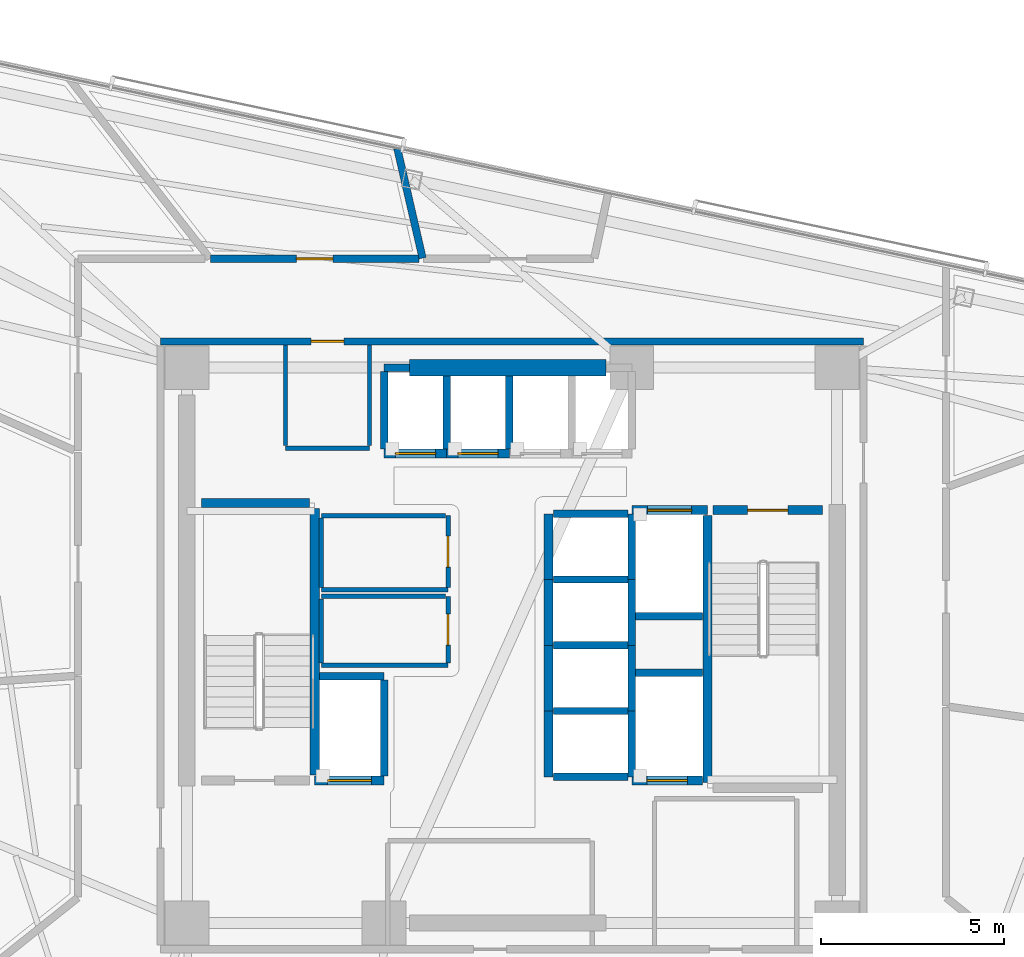
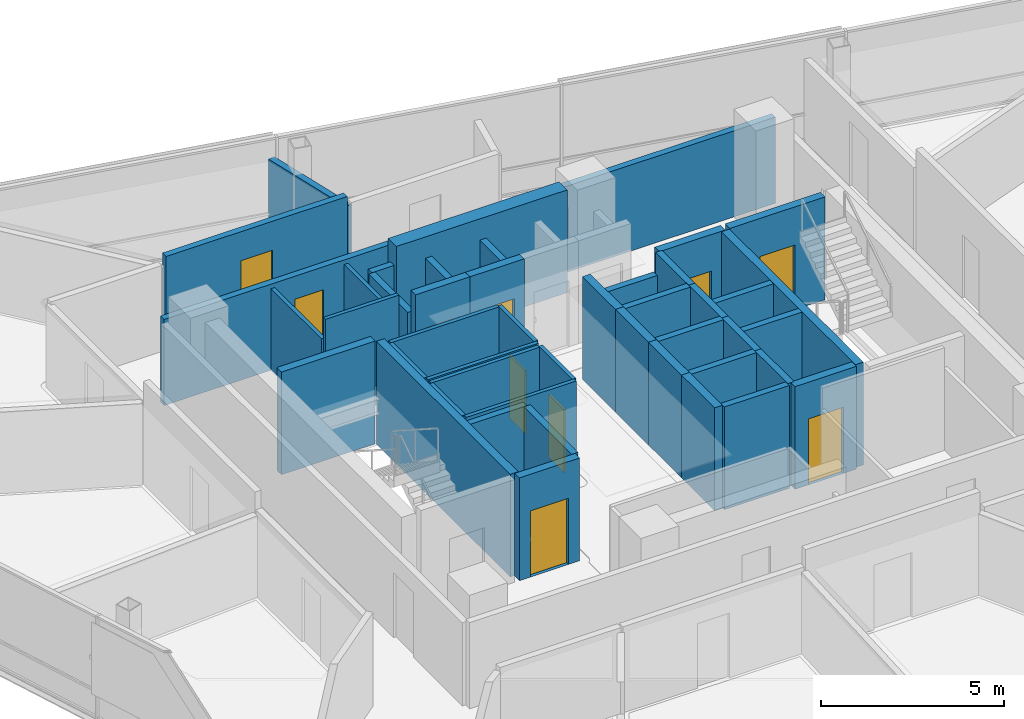
# One storey, part 11 of 17: 45 walls, 10 doors, 10 openings.
"""IFC4 building model written with IfcOpenShell, lengths in metres."""

from ifc_helpers import new_model, si_unit, direction, frame, frame_2d, origin, place, context, subcontext, project, spatial, rectangle, extrude, material, layer, layer_set, type_object, element, fill, save


model = new_model("IFC4")

# Units and contexts
model_context = context("Model", 3, precision=1e-05, world=origin(), true_north=direction((0.0, 1.0)))
body_context = subcontext(model_context, "Body", "Model", "MODEL_VIEW")
ifc_project = project(units=[si_unit("LENGTHUNIT", "METRE"), si_unit("AREAUNIT", "SQUARE_METRE"), si_unit("VOLUMEUNIT", "CUBIC_METRE"), si_unit("PLANEANGLEUNIT", "RADIAN"), si_unit("MASSUNIT", "GRAM", prefix="KILO")], contexts=[model_context])

# Site, building, storey
site_placement = place(None, origin())
site = spatial("IfcSite", under=ifc_project, at=site_placement, CompositionType="ELEMENT")
building_placement = place(site_placement, origin())
building = spatial("IfcBuilding", under=site, at=building_placement, Name="Tharavind Bronze Gate", CompositionType="ELEMENT")
storey_placement = place(building_placement, frame((0.0, 0.0, 214.85009765625)))
storey = spatial("IfcBuildingStorey", under=building, at=storey_placement, Name="L55", CompositionType="ELEMENT", Elevation=214.85009765625)

# Wall, opening, door
ifc_material_1 = material(Name="Aerated Concrete Block", Category="concrete")
ifc_layer_1 = layer(ifc_material_1, 0.199951171875)
ifc_layer_set_1 = layer_set([ifc_layer_1], Name="Aerated Concrete Block")
wall_type_1 = type_object("IfcWallType", Name="FIRE RATED PARTITION 200", PredefinedType="PARTITIONING", material=ifc_layer_set_1)
wall_1_placement = place(storey_placement, frame((9.6201171875, 8.320068359375, 0.0), z_axis=(0.0, 0.0, 1.0), x_axis=(-1.0, 0.0, 0.0)))
wall_1 = element("IfcWall", 1, at=wall_1_placement, inside=storey, type_object=wall_type_1, Name="L55 north core corridor wall", PredefinedType="PARTITIONING", context=body_context, shape_type="SweptSolid", body=[
    extrude(rectangle(XDim=19.240234375, YDim=0.199951171875, at=frame_2d((9.6201171875, 0.0))), origin(), (0.0, 0.0, 1.0), 2.864990234375),
])
opening_1_placement = place(wall_1_placement, frame((14.219970703125, 0.0, 0.0)))
opening_1 = element("IfcOpeningElement", 2, at=opening_1_placement, cuts=wall_1, Name="Opening ID07", PredefinedType="OPENING", context=body_context, shape_type="SweptSolid", body=[
    extrude(rectangle(XDim=0.89990234375, YDim=2.10009765625, at=frame_2d((0.449951171875, 1.050048828125))), frame((0.0, 0.11009765625, 0.0), z_axis=(0.0, -1.0, 0.0), x_axis=(1.0, 0.0, 0.0)), (0.0, 0.0, 1.0), 0.219951171875),
])
ifc_material_2 = material(Name="Galvanised Fire Steel", Category="steel")
door_type_1 = type_object("IfcDoorType", Name="PLANT AND RISER FIRE DOOR 900X2100", OperationType="SINGLE_SWING_LEFT", PredefinedType="DOOR", material=ifc_material_2)
door_1_placement = place(opening_1_placement, origin())
door_1 = element("IfcDoor", 3, at=door_1_placement, inside=storey, type_object=door_type_1, Name="L55 Electrical Switch Cupboard fire door", OperationType="SINGLE_SWING_LEFT", OverallHeight=2.10009765625, OverallWidth=0.89990234375, PredefinedType="DOOR", context=body_context, shape_type="SweptSolid", body=[
    extrude(rectangle(XDim=0.89990234375, YDim=2.10009765625, at=frame_2d((0.449951171875, 1.050048828125))), frame((0.0, 0.02490234375, 0.0), z_axis=(0.0, -1.0, 0.0), x_axis=(1.0, 0.0, 0.0)), (0.0, 0.0, 1.0), 0.050048828125),
])
fill(opening_1, door_1)

# Wall
wall_2_placement = place(storey_placement, frame((-2.447021484375, 10.599365234375, 0.0), z_axis=(0.0, 0.0, 1.0), x_axis=(-0.224992440498, 0.974360509113, 0.0)))
element("IfcWall", 4, at=wall_2_placement, inside=storey, type_object=wall_type_1, Name="L55 Climate Office B partition", PredefinedType="PARTITIONING", context=body_context, shape_type="SweptSolid", body=[
    extrude(rectangle(XDim=3.0849609375, YDim=0.199951171875, at=frame_2d((1.54248046875, 0.0))), origin(), (0.0, 0.0, 1.0), 2.71484375),
])

# Wall, opening, door
wall_3_placement = place(storey_placement, frame((-2.55029296875, 10.580078125, 0.0), z_axis=(0.0, 0.0, 1.0), x_axis=(-1.0, 0.0, 0.0)))
wall_3 = element("IfcWall", 5, at=wall_3_placement, inside=storey, type_object=wall_type_1, Name="L55 Climate Office C partition", PredefinedType="PARTITIONING", context=body_context, shape_type="SweptSolid", body=[
    extrude(rectangle(XDim=5.70361328125, YDim=0.199951171875, at=frame_2d((2.851806640625, 0.0))), origin(), (0.0, 0.0, 1.0), 3.114990234375),
])
opening_2_placement = place(wall_3_placement, frame((2.35205078125, 0.0, 0.0)))
opening_2 = element("IfcOpeningElement", 6, at=opening_2_placement, cuts=wall_3, Name="Opening ID04", PredefinedType="OPENING", context=body_context, shape_type="SweptSolid", body=[
    extrude(rectangle(XDim=1.0, YDim=2.14990234375, at=frame_2d((0.5, 1.074951171875))), frame((0.0, 0.11009765625, 0.0), z_axis=(0.0, -1.0, 0.0), x_axis=(1.0, 0.0, 0.0)), (0.0, 0.0, 1.0), 0.219951171875),
])
ifc_material_3 = material(Name="Bronze Framed Acoustic Timber", Category="wood")
door_type_2 = type_object("IfcDoorType", Name="OFFICE TENANCY DOOR 1000X2150", OperationType="SINGLE_SWING_RIGHT", PredefinedType="DOOR", material=ifc_material_3)
door_2_placement = place(opening_2_placement, origin())
door_2 = element("IfcDoor", 7, at=door_2_placement, inside=storey, type_object=door_type_2, Name="L55 Climate Office C door", OperationType="SINGLE_SWING_RIGHT", OverallHeight=2.14990234375, OverallWidth=1.0, PredefinedType="DOOR", context=body_context, shape_type="SweptSolid", body=[
    extrude(rectangle(XDim=1.0, YDim=2.14990234375, at=frame_2d((0.5, 1.074951171875))), frame((0.0, 0.02490234375, 0.0), z_axis=(0.0, -1.0, 0.0), x_axis=(1.0, 0.0, 0.0)), (0.0, 0.0, 1.0), 0.050048828125),
])
fill(opening_2, door_2)

# Wall
ifc_material_4 = material(Name="Metal Stud Gypsum Partition", Category="gypsum")
ifc_layer_2 = layer(ifc_material_4, 0.1201171875)
ifc_layer_set_2 = layer_set([ifc_layer_2], Name="Metal Stud Gypsum Partition")
wall_type_2 = type_object("IfcWallType", Name="INTERIOR PARTITION WALL 120", PredefinedType="PARTITIONING", material=ifc_layer_set_2)
wall_4_placement = place(storey_placement, frame((-5.219970703125, 1.52001953125, 0.0), z_axis=(0.0, 0.0, 1.0), x_axis=(1.0, 0.0, 0.0)))
element("IfcWall", 8, at=wall_4_placement, inside=storey, type_object=wall_type_2, Name="L55 Cleaner Store Room partition 1", PredefinedType="PARTITIONING", context=body_context, shape_type="SweptSolid", body=[
    extrude(rectangle(XDim=3.469970703125, YDim=0.1201171875, at=frame_2d((1.73486328125, 0.0))), origin(), (0.0, 0.0, 1.0), 3.419921875),
])

# Wall, opening, door
wall_5_placement = place(storey_placement, frame((-1.75, 1.5849609375, 0.0), z_axis=(0.0, 0.0, 1.0), x_axis=(0.0, 1.0, 0.0)))
wall_5 = element("IfcWall", 9, at=wall_5_placement, inside=storey, type_object=wall_type_2, Name="L55 Cleaner Store Room partition 2", PredefinedType="PARTITIONING", context=body_context, shape_type="SweptSolid", body=[
    extrude(rectangle(XDim=1.965087890625, YDim=0.1201171875, at=frame_2d((0.982421875, 0.0))), origin(), (0.0, 0.0, 1.0), 3.419921875),
])
opening_3_placement = place(wall_5_placement, frame((0.556884765625, 0.0, 0.0)))
opening_3 = element("IfcOpeningElement", 10, at=opening_3_placement, cuts=wall_5, Name="Opening ID06", PredefinedType="OPENING", context=body_context, shape_type="SweptSolid", body=[
    extrude(rectangle(XDim=0.85009765625, YDim=2.10009765625, at=frame_2d((0.425048828125, 1.050048828125))), frame((0.0, 0.07005859375, 0.0), z_axis=(0.0, -1.0, 0.0), x_axis=(1.0, 0.0, 0.0)), (0.0, 0.0, 1.0), 0.1401171875),
])
ifc_material_5 = material(Name="Moisture-Resistant Timber", Category="wood")
door_type_3 = type_object("IfcDoorType", Name="BATHROOM PRIVACY DOOR 850X2100", OperationType="SINGLE_SWING_RIGHT", PredefinedType="DOOR", material=ifc_material_5)
door_3_placement = place(opening_3_placement, frame((0.85009765625, 0.0, 0.0), z_axis=(0.0, 0.0, 1.0), x_axis=(-1.0, 0.0, 0.0)))
door_3 = element("IfcDoor", 11, at=door_3_placement, inside=storey, type_object=door_type_3, Name="L55 Cleaner Store Room door", OperationType="SINGLE_SWING_RIGHT", OverallHeight=2.10009765625, OverallWidth=0.85009765625, PredefinedType="DOOR", context=body_context, shape_type="SweptSolid", body=[
    extrude(rectangle(XDim=0.85009765625, YDim=2.10009765625, at=frame_2d((0.425048828125, 1.050048828125))), frame((0.0, 0.02490234375, 0.0), z_axis=(0.0, -1.0, 0.0), x_axis=(1.0, 0.0, 0.0)), (0.0, 0.0, 1.0), 0.050048828125),
])
fill(opening_3, door_3)

# Walls
wall_6_placement = place(storey_placement, frame((-1.81494140625, 3.550048828125, 0.0), z_axis=(0.0, 0.0, 1.0), x_axis=(-1.0, 0.0, 0.0)))
element("IfcWall", 12, at=wall_6_placement, inside=storey, type_object=wall_type_2, Name="L55 Cleaner Store Room partition 3", PredefinedType="PARTITIONING", context=body_context, shape_type="SweptSolid", body=[
    extrude(rectangle(XDim=3.405029296875, YDim=0.1201171875, at=frame_2d((1.70263671875, 0.0))), origin(), (0.0, 0.0, 1.0), 3.419921875),
])
wall_7_placement = place(storey_placement, frame((-5.219970703125, 3.485107421875, 0.0), z_axis=(0.0, 0.0, 1.0), x_axis=(0.0, -1.0, 0.0)))
element("IfcWall", 13, at=wall_7_placement, inside=storey, type_object=wall_type_2, Name="L55 Cleaner Store Room partition 4", PredefinedType="PARTITIONING", context=body_context, shape_type="SweptSolid", body=[
    extrude(rectangle(XDim=1.900146484375, YDim=0.1201171875, at=frame_2d((0.9501953125, 0.0))), origin(), (0.0, 0.0, 1.0), 3.419921875),
])
wall_8_placement = place(storey_placement, frame((-5.219970703125, -0.550048828125, 0.0), z_axis=(0.0, 0.0, 1.0), x_axis=(1.0, 0.0, 0.0)))
element("IfcWall", 14, at=wall_8_placement, inside=storey, type_object=wall_type_2, Name="L55 Electrical Switch Room partition 1", PredefinedType="PARTITIONING", context=body_context, shape_type="SweptSolid", body=[
    extrude(rectangle(XDim=3.469970703125, YDim=0.1201171875, at=frame_2d((1.73486328125, 0.0))), origin(), (0.0, 0.0, 1.0), 3.419921875),
])

# Wall, opening, door
wall_9_placement = place(storey_placement, frame((-1.75, -0.485107421875, 0.0), z_axis=(0.0, 0.0, 1.0), x_axis=(0.0, 1.0, 0.0)))
wall_9 = element("IfcWall", 15, at=wall_9_placement, inside=storey, type_object=wall_type_2, Name="L55 Electrical Switch Room partition 2", PredefinedType="PARTITIONING", context=body_context, shape_type="SweptSolid", body=[
    extrude(rectangle(XDim=1.8251953125, YDim=0.1201171875, at=frame_2d((0.91259765625, 0.0))), origin(), (0.0, 0.0, 1.0), 3.419921875),
])
opening_4_placement = place(wall_9_placement, frame((0.488037109375, 0.0, 0.0)))
opening_4 = element("IfcOpeningElement", 16, at=opening_4_placement, cuts=wall_9, Name="Opening ID06", PredefinedType="OPENING", context=body_context, shape_type="SweptSolid", body=[
    extrude(rectangle(XDim=0.85009765625, YDim=2.10009765625, at=frame_2d((0.425048828125, 1.050048828125))), frame((0.0, 0.07005859375, 0.0), z_axis=(0.0, -1.0, 0.0), x_axis=(1.0, 0.0, 0.0)), (0.0, 0.0, 1.0), 0.1401171875),
])
door_4_placement = place(opening_4_placement, frame((0.85009765625, 0.0, 0.0), z_axis=(0.0, 0.0, 1.0), x_axis=(-1.0, 0.0, 0.0)))
door_4 = element("IfcDoor", 17, at=door_4_placement, inside=storey, type_object=door_type_3, Name="L55 Electrical Switch Room door", OperationType="SINGLE_SWING_RIGHT", OverallHeight=2.10009765625, OverallWidth=0.85009765625, PredefinedType="DOOR", context=body_context, shape_type="SweptSolid", body=[
    extrude(rectangle(XDim=0.85009765625, YDim=2.10009765625, at=frame_2d((0.425048828125, 1.050048828125))), frame((0.0, 0.02490234375, 0.0), z_axis=(0.0, -1.0, 0.0), x_axis=(1.0, 0.0, 0.0)), (0.0, 0.0, 1.0), 0.050048828125),
])
fill(opening_4, door_4)

# Walls
wall_10_placement = place(storey_placement, frame((-1.81494140625, 1.340087890625, 0.0), z_axis=(0.0, 0.0, 1.0), x_axis=(-1.0, 0.0, 0.0)))
element("IfcWall", 18, at=wall_10_placement, inside=storey, type_object=wall_type_2, Name="L55 Electrical Switch Room partition 3", PredefinedType="PARTITIONING", context=body_context, shape_type="SweptSolid", body=[
    extrude(rectangle(XDim=3.405029296875, YDim=0.1201171875, at=frame_2d((1.70263671875, 0.0))), origin(), (0.0, 0.0, 1.0), 3.419921875),
])
wall_11_placement = place(storey_placement, frame((-5.219970703125, 1.27490234375, 0.0), z_axis=(0.0, 0.0, 1.0), x_axis=(0.0, -1.0, 0.0)))
element("IfcWall", 19, at=wall_11_placement, inside=storey, type_object=wall_type_2, Name="L55 Electrical Switch Room partition 4", PredefinedType="PARTITIONING", context=body_context, shape_type="SweptSolid", body=[
    extrude(rectangle(XDim=1.760009765625, YDim=0.1201171875, at=frame_2d((0.8798828125, 0.0))), origin(), (0.0, 0.0, 1.0), 3.419921875),
])
wall_12_placement = place(storey_placement, frame((-6.199951171875, 5.39990234375, 0.0), z_axis=(0.0, 0.0, 1.0), x_axis=(1.0, 0.0, 0.0)))
element("IfcWall", 20, at=wall_12_placement, inside=storey, type_object=wall_type_2, Name="L55 Electrical Switch Cupboard partition 1", PredefinedType="PARTITIONING", context=body_context, shape_type="SweptSolid", body=[
    extrude(rectangle(XDim=2.300048828125, YDim=0.1201171875, at=frame_2d((1.14990234375, 0.0))), origin(), (0.0, 0.0, 1.0), 3.419921875),
])
for number, where, z_axis, x_axis, name in (
    (21, (-3.89990234375, 5.465087890625, 0.0), (0.0, 0.0, 1.0), (0.0, 1.0, 0.0), "L55 Electrical Switch Cupboard partition 2"),
    (22, (-6.199951171875, 8.215087890625, 0.0), (0.0, 0.0, 1.0), (0.0, -1.0, 0.0), "L55 Electrical Switch Cupboard partition 4"),
):
    element("IfcWall", number, at=place(storey_placement, frame(where, z_axis=z_axis, x_axis=x_axis)), inside=storey, type_object=wall_type_2, Name=name, PredefinedType="PARTITIONING", context=body_context, shape_type="SweptSolid", body=[
        extrude(rectangle(XDim=2.75, YDim=0.1201171875, at=frame_2d((1.375, 0.0))), origin(), (0.0, 0.0, 1.0), 2.71484375),
    ])
ifc_material_6 = material(Name="Concrete C50/60", Category="concrete")
ifc_layer_3 = layer(ifc_material_6, 0.25)
ifc_layer_set_3 = layer_set([ifc_layer_3], Name="Concrete C50/60")
wall_type_3 = type_object("IfcWallType", Name="RC CORE SHEAR WALL 250", PredefinedType="SHEAR", material=ifc_layer_set_3)
wall_13_placement = place(storey_placement, frame((-5.39990234375, -3.550048828125, 0.0), z_axis=(0.0, 0.0, 1.0), x_axis=(0.0, 1.0, 0.0)))
element("IfcWall", 23, at=wall_13_placement, inside=storey, type_object=wall_type_3, Name="L55 ST1 shaft east wall", PredefinedType="SHEAR", context=body_context, shape_type="SweptSolid", body=[
    extrude(rectangle(XDim=7.300048828125, YDim=0.25, at=frame_2d((3.64990234375, 0.0))), origin(), (0.0, 0.0, 1.0), 3.419921875),
])
wall_14_placement = place(storey_placement, frame((-8.5, 3.89990234375, 0.0), z_axis=(0.0, 0.0, 1.0), x_axis=(1.0, 0.0, 0.0)))
element("IfcWall", 24, at=wall_14_placement, inside=storey, type_object=wall_type_3, Name="L55 ST1 shaft north wall", PredefinedType="SHEAR", context=body_context, shape_type="SweptSolid", body=[
    extrude(rectangle(XDim=2.949951171875, YDim=0.25, at=frame_2d((1.47509765625, 0.0))), origin(), (0.0, 0.0, 1.0), 3.419921875),
])
wall_15_placement = place(storey_placement, frame((5.35009765625, -3.75, 0.0), z_axis=(0.0, 0.0, 1.0), x_axis=(0.0, 1.0, 0.0)))
element("IfcWall", 25, at=wall_15_placement, inside=storey, type_object=wall_type_3, Name="L55 ST2 shaft west wall", PredefinedType="SHEAR", context=body_context, shape_type="SweptSolid", body=[
    extrude(rectangle(XDim=7.300048828125, YDim=0.25, at=frame_2d((3.64990234375, 0.0))), origin(), (0.0, 0.0, 1.0), 3.419921875),
])

# Wall, opening, door
wall_16_placement = place(storey_placement, frame((5.5, 3.699951171875, 0.0), z_axis=(0.0, 0.0, 1.0), x_axis=(1.0, 0.0, 0.0)))
wall_16 = element("IfcWall", 26, at=wall_16_placement, inside=storey, type_object=wall_type_3, Name="L55 ST2 shaft north wall", PredefinedType="SHEAR", context=body_context, shape_type="SweptSolid", body=[
    extrude(rectangle(XDim=3.0, YDim=0.25, at=frame_2d((1.5, 0.0))), origin(), (0.0, 0.0, 1.0), 3.419921875),
])
opening_5_placement = place(wall_16_placement, frame((0.949951171875, 0.0, 0.0)))
opening_5 = element("IfcOpeningElement", 27, at=opening_5_placement, cuts=wall_16, Name="Opening ID01", PredefinedType="OPENING", context=body_context, shape_type="SweptSolid", body=[
    extrude(rectangle(XDim=1.10009765625, YDim=2.14990234375, at=frame_2d((0.550048828125, 1.074951171875))), frame((0.0, 0.135, 0.0), z_axis=(0.0, -1.0, 0.0), x_axis=(1.0, 0.0, 0.0)), (0.0, 0.0, 1.0), 0.27),
])
ifc_material_7 = material(Name="Fire-Rated Steel", Category="steel")
door_type_4 = type_object("IfcDoorType", Name="STAIR CORE FIRE DOOR 1100X2150", OperationType="SINGLE_SWING_LEFT", PredefinedType="DOOR", material=ifc_material_7)
door_5_placement = place(opening_5_placement, frame((1.10009765625, 0.0, 0.0), z_axis=(0.0, 0.0, 1.0), x_axis=(-1.0, 0.0, 0.0)))
door_5 = element("IfcDoor", 28, at=door_5_placement, inside=storey, type_object=door_type_4, Name="L55 exit stair ST2 fire door", OperationType="SINGLE_SWING_LEFT", OverallHeight=2.14990234375, OverallWidth=1.10009765625, PredefinedType="DOOR", context=body_context, shape_type="SweptSolid", body=[
    extrude(rectangle(XDim=1.10009765625, YDim=2.14990234375, at=frame_2d((0.550048828125, 1.074951171875))), frame((0.0, 0.02490234375, 0.0), z_axis=(0.0, -1.0, 0.0), x_axis=(1.0, 0.0, 0.0)), (0.0, 0.0, 1.0), 0.050048828125),
])
fill(opening_5, door_5)

wall_17_placement = place(storey_placement, frame((-3.5, 5.25, 0.0), z_axis=(0.0, 0.0, 1.0), x_axis=(1.0, 0.0, 0.0)))
wall_17 = element("IfcWall", 29, at=wall_17_placement, inside=storey, type_object=wall_type_3, Name="L55 lift PL5 shaft front wall", PredefinedType="SHEAR", context=body_context, shape_type="SweptSolid", body=[
    extrude(rectangle(XDim=1.71240234375, YDim=0.25, at=frame_2d((0.856201171875, 0.0))), origin(), (0.0, 0.0, 1.0), 3.419921875),
])
opening_6_placement = place(wall_17_placement, frame((0.305908203125, 0.0, 0.0)))
opening_6 = element("IfcOpeningElement", 30, at=opening_6_placement, cuts=wall_17, Name="Opening LD01", PredefinedType="OPENING", context=body_context, shape_type="SweptSolid", body=[
    extrude(rectangle(XDim=1.10009765625, YDim=2.199951171875, at=frame_2d((0.550048828125, 1.10009765625))), frame((0.0, 0.135, 0.0), z_axis=(0.0, -1.0, 0.0), x_axis=(1.0, 0.0, 0.0)), (0.0, 0.0, 1.0), 0.27),
])
ifc_material_8 = material(Name="Brushed Bronze Stainless Steel", Category="steel")
door_type_5 = type_object("IfcDoorType", Name="LIFT LANDING SLIDING DOOR 1100X2200", OperationType="SLIDING_TO_LEFT", PredefinedType="DOOR", material=ifc_material_8)
door_6_placement = place(opening_6_placement, origin())
door_6 = element("IfcDoor", 31, at=door_6_placement, inside=storey, type_object=door_type_5, Name="L55 lift PL5 sliding landing door", OperationType="SLIDING_TO_LEFT", OverallHeight=2.199951171875, OverallWidth=1.10009765625, PredefinedType="DOOR", context=body_context, shape_type="SweptSolid", body=[
    extrude(rectangle(XDim=1.10009765625, YDim=2.199951171875, at=frame_2d((0.550048828125, 1.10009765625))), frame((0.0, 0.02490234375, 0.0), z_axis=(0.0, -1.0, 0.0), x_axis=(1.0, 0.0, 0.0)), (0.0, 0.0, 1.0), 0.050048828125),
])
fill(opening_6, door_6)

wall_18_placement = place(storey_placement, frame((-1.78759765625, 5.25, 0.0), z_axis=(0.0, 0.0, 1.0), x_axis=(1.0, 0.0, 0.0)))
wall_18 = element("IfcWall", 32, at=wall_18_placement, inside=storey, type_object=wall_type_3, Name="L55 lift PL6 shaft front wall", PredefinedType="SHEAR", context=body_context, shape_type="SweptSolid", body=[
    extrude(rectangle(XDim=1.712646484375, YDim=0.25, at=frame_2d((0.8564453125, 0.0))), origin(), (0.0, 0.0, 1.0), 3.419921875),
])
opening_7_placement = place(wall_18_placement, frame((0.305908203125, 0.0, 0.0)))
opening_7 = element("IfcOpeningElement", 33, at=opening_7_placement, cuts=wall_18, Name="Opening LD01", PredefinedType="OPENING", context=body_context, shape_type="SweptSolid", body=[
    extrude(rectangle(XDim=1.10009765625, YDim=2.199951171875, at=frame_2d((0.550048828125, 1.10009765625))), frame((0.0, 0.135, 0.0), z_axis=(0.0, -1.0, 0.0), x_axis=(1.0, 0.0, 0.0)), (0.0, 0.0, 1.0), 0.27),
])
door_7_placement = place(opening_7_placement, origin())
door_7 = element("IfcDoor", 34, at=door_7_placement, inside=storey, type_object=door_type_5, Name="L55 lift PL6 sliding landing door", OperationType="SLIDING_TO_LEFT", OverallHeight=2.199951171875, OverallWidth=1.10009765625, PredefinedType="DOOR", context=body_context, shape_type="SweptSolid", body=[
    extrude(rectangle(XDim=1.10009765625, YDim=2.199951171875, at=frame_2d((0.550048828125, 1.10009765625))), frame((0.0, 0.02490234375, 0.0), z_axis=(0.0, -1.0, 0.0), x_axis=(1.0, 0.0, 0.0)), (0.0, 0.0, 1.0), 0.050048828125),
])
fill(opening_7, door_7)

# Walls
for number, where, z_axis, x_axis, name in (
    (35, (1.0, -3.60009765625, 0.0), (0.0, 0.0, 1.0), (0.0, 1.0, 0.0), "L55 lift PL9 shaft front wall"),
    (36, (1.0, -1.800048828125, 0.0), (0.0, 0.0, 1.0), (0.0, 1.0, 0.0), "L55 lift PL10 shaft front wall"),
    (37, (1.0, 0.0, 0.0), (0.0, 0.0, 1.0), (0.0, 1.0, 0.0), "L55 lift PL11 shaft front wall"),
    (38, (1.0, 1.800048828125, 0.0), (0.0, 0.0, 1.0), (0.0, 1.0, 0.0), "L55 lift PL12 shaft front wall"),
):
    element("IfcWall", number, at=place(storey_placement, frame(where, z_axis=z_axis, x_axis=x_axis)), inside=storey, type_object=wall_type_3, Name=name, PredefinedType="SHEAR", context=body_context, shape_type="SweptSolid", body=[
        extrude(rectangle(XDim=1.800048828125, YDim=0.25, at=frame_2d((0.89990234375, 0.0))), origin(), (0.0, 0.0, 1.0), 3.419921875),
    ])

# Wall, opening, door
wall_19_placement = place(storey_placement, frame((-5.39990234375, -3.699951171875, 0.0), z_axis=(0.0, 0.0, 1.0), x_axis=(1.0, 0.0, 0.0)))
wall_19 = element("IfcWall", 39, at=wall_19_placement, inside=storey, type_object=wall_type_3, Name="L55 lift FFL1 shaft front wall", PredefinedType="SHEAR", context=body_context, shape_type="SweptSolid", body=[
    extrude(rectangle(XDim=1.89990234375, YDim=0.25, at=frame_2d((0.949951171875, 0.0))), origin(), (0.0, 0.0, 1.0), 3.419921875),
])
opening_8_placement = place(wall_19_placement, frame((0.35009765625, 0.0, 0.0)))
opening_8 = element("IfcOpeningElement", 40, at=opening_8_placement, cuts=wall_19, Name="Opening LD02", PredefinedType="OPENING", context=body_context, shape_type="SweptSolid", body=[
    extrude(rectangle(XDim=1.199951171875, YDim=2.199951171875, at=frame_2d((0.60009765625, 1.10009765625))), frame((0.0, 0.135, 0.0), z_axis=(0.0, -1.0, 0.0), x_axis=(1.0, 0.0, 0.0)), (0.0, 0.0, 1.0), 0.27),
])
ifc_material_9 = material(Name="Brushed Stainless Steel", Category="steel")
door_type_6 = type_object("IfcDoorType", Name="FIREFIGHTING LIFT LANDING DOOR 1200X2200", OperationType="SLIDING_TO_RIGHT", PredefinedType="DOOR", material=ifc_material_9)
door_8_placement = place(opening_8_placement, origin())
door_8 = element("IfcDoor", 41, at=door_8_placement, inside=storey, type_object=door_type_6, Name="L55 lift FFL1 sliding landing door", OperationType="SLIDING_TO_RIGHT", OverallHeight=2.199951171875, OverallWidth=1.199951171875, PredefinedType="DOOR", context=body_context, shape_type="SweptSolid", body=[
    extrude(rectangle(XDim=1.199951171875, YDim=2.199951171875, at=frame_2d((0.60009765625, 1.10009765625))), frame((0.0, 0.02490234375, 0.0), z_axis=(0.0, -1.0, 0.0), x_axis=(1.0, 0.0, 0.0)), (0.0, 0.0, 1.0), 0.050048828125),
])
fill(opening_8, door_8)

wall_20_placement = place(storey_placement, frame((3.280029296875, 3.699951171875, 0.0), z_axis=(0.0, 0.0, 1.0), x_axis=(1.0, 0.0, 0.0)))
wall_20 = element("IfcWall", 42, at=wall_20_placement, inside=storey, type_object=wall_type_3, Name="L55 lift FFL2 shaft front wall", PredefinedType="SHEAR", context=body_context, shape_type="SweptSolid", body=[
    extrude(rectangle(XDim=2.070068359375, YDim=0.25, at=frame_2d((1.03515625, 0.0))), origin(), (0.0, 0.0, 1.0), 3.419921875),
])
opening_9_placement = place(wall_20_placement, frame((0.43505859375, 0.0, 0.0)))
opening_9 = element("IfcOpeningElement", 43, at=opening_9_placement, cuts=wall_20, Name="Opening LD02", PredefinedType="OPENING", context=body_context, shape_type="SweptSolid", body=[
    extrude(rectangle(XDim=1.199951171875, YDim=2.199951171875, at=frame_2d((0.60009765625, 1.10009765625))), frame((0.0, 0.135, 0.0), z_axis=(0.0, -1.0, 0.0), x_axis=(1.0, 0.0, 0.0)), (0.0, 0.0, 1.0), 0.27),
])
door_9_placement = place(opening_9_placement, origin())
door_9 = element("IfcDoor", 44, at=door_9_placement, inside=storey, type_object=door_type_6, Name="L55 lift FFL2 sliding landing door", OperationType="SLIDING_TO_RIGHT", OverallHeight=2.199951171875, OverallWidth=1.199951171875, PredefinedType="DOOR", context=body_context, shape_type="SweptSolid", body=[
    extrude(rectangle(XDim=1.199951171875, YDim=2.199951171875, at=frame_2d((0.60009765625, 1.10009765625))), frame((0.0, 0.02490234375, 0.0), z_axis=(0.0, -1.0, 0.0), x_axis=(1.0, 0.0, 0.0)), (0.0, 0.0, 1.0), 0.050048828125),
])
fill(opening_9, door_9)

wall_21_placement = place(storey_placement, frame((3.280029296875, -3.699951171875, 0.0), z_axis=(0.0, 0.0, 1.0), x_axis=(1.0, 0.0, 0.0)))
wall_21 = element("IfcWall", 45, at=wall_21_placement, inside=storey, type_object=wall_type_3, Name="L55 lift SVL1 shaft front wall", PredefinedType="SHEAR", context=body_context, shape_type="SweptSolid", body=[
    extrude(rectangle(XDim=1.93994140625, YDim=0.25, at=frame_2d((0.969970703125, 0.0))), origin(), (0.0, 0.0, 1.0), 3.419921875),
])
opening_10_placement = place(wall_21_placement, frame((0.419921875, 0.0, 0.0)))
opening_10 = element("IfcOpeningElement", 46, at=opening_10_placement, cuts=wall_21, Name="Opening LD01", PredefinedType="OPENING", context=body_context, shape_type="SweptSolid", body=[
    extrude(rectangle(XDim=1.10009765625, YDim=2.199951171875, at=frame_2d((0.550048828125, 1.10009765625))), frame((0.0, 0.135, 0.0), z_axis=(0.0, -1.0, 0.0), x_axis=(1.0, 0.0, 0.0)), (0.0, 0.0, 1.0), 0.27),
])
door_10_placement = place(opening_10_placement, origin())
door_10 = element("IfcDoor", 47, at=door_10_placement, inside=storey, type_object=door_type_5, Name="L55 lift SVL1 sliding landing door", OperationType="SLIDING_TO_LEFT", OverallHeight=2.199951171875, OverallWidth=1.10009765625, PredefinedType="DOOR", context=body_context, shape_type="SweptSolid", body=[
    extrude(rectangle(XDim=1.10009765625, YDim=2.199951171875, at=frame_2d((0.550048828125, 1.10009765625))), frame((0.0, 0.02490234375, 0.0), z_axis=(0.0, -1.0, 0.0), x_axis=(1.0, 0.0, 0.0)), (0.0, 0.0, 1.0), 0.050048828125),
])
fill(opening_10, door_10)

# Walls
ifc_material_10 = material(Name="Concrete C60/75", Category="concrete")
ifc_layer_4 = layer(ifc_material_10, 0.449951171875)
ifc_layer_set_4 = layer_set([ifc_layer_4], Name="Concrete C60/75")
wall_type_4 = type_object("IfcWallType", Name="RC CORE SHEAR WALL 450", PredefinedType="SHEAR", material=ifc_layer_set_4)
wall_22_placement = place(storey_placement, frame((-2.800048828125, 7.60009765625, 0.0), z_axis=(0.0, 0.0, 1.0), x_axis=(1.0, 0.0, 0.0)))
element("IfcWall", 48, at=wall_22_placement, inside=storey, type_object=wall_type_4, Name="L55 north core shear wall", PredefinedType="SHEAR", context=body_context, shape_type="SweptSolid", body=[
    extrude(rectangle(XDim=5.380126953125, YDim=0.449951171875, at=frame_2d((2.68994140625, 0.0))), origin(), (0.0, 0.0, 1.0), 3.419921875),
])
ifc_material_11 = material(Name="Concrete C40/50", Category="concrete")
ifc_layer_5 = layer(ifc_material_11, 0.199951171875)
ifc_layer_set_5 = layer_set([ifc_layer_5], Name="Concrete C40/50")
wall_type_5 = type_object("IfcWallType", Name="SHAFT ENCLOSURE WALL 200", PredefinedType="PARTITIONING", material=ifc_layer_set_5)
wall_23_placement = place(storey_placement, frame((-3.5, 7.60009765625, 0.0), z_axis=(0.0, 0.0, 1.0), x_axis=(1.0, 0.0, 0.0)))
element("IfcWall", 49, at=wall_23_placement, inside=storey, type_object=wall_type_5, Name="L55 lift PL5 shaft N enclosure wall", PredefinedType="PARTITIONING", context=body_context, shape_type="SweptSolid", body=[
    extrude(rectangle(XDim=0.699951171875, YDim=0.199951171875, at=frame_2d((0.35009765625, 0.0))), origin(), (0.0, 0.0, 1.0), 2.71484375),
])
wall_24_placement = place(storey_placement, frame((-3.5, 5.3798828125, 0.0), z_axis=(0.0, 0.0, 1.0), x_axis=(0.0, 1.0, 0.0)))
element("IfcWall", 50, at=wall_24_placement, inside=storey, type_object=wall_type_5, Name="L55 lift PL5 shaft W enclosure wall", PredefinedType="PARTITIONING", context=body_context, shape_type="SweptSolid", body=[
    extrude(rectangle(XDim=2.115234375, YDim=0.199951171875, at=frame_2d((1.0576171875, 0.0))), origin(), (0.0, 0.0, 1.0), 2.71484375),
])
for number, where, z_axis, x_axis, name in (
    (51, (-1.78759765625, 5.3798828125, 0.0), (0.0, 0.0, 1.0), (0.0, 1.0, 0.0), "L55 lift PL5 shaft E enclosure wall"),
    (52, (-0.074951171875, 5.3798828125, 0.0), (0.0, 0.0, 1.0), (0.0, 1.0, 0.0), "L55 lift PL6 shaft E enclosure wall"),
):
    element("IfcWall", number, at=place(storey_placement, frame(where, z_axis=z_axis, x_axis=x_axis)), inside=storey, type_object=wall_type_5, Name=name, PredefinedType="PARTITIONING", context=body_context, shape_type="SweptSolid", body=[
        extrude(rectangle(XDim=1.990234375, YDim=0.199951171875, at=frame_2d((0.9951171875, 0.0))), origin(), (0.0, 0.0, 1.0), 2.71484375),
    ])
wall_25_placement = place(storey_placement, frame((3.280029296875, -3.60009765625, 0.0), z_axis=(0.0, 0.0, 1.0), x_axis=(0.0, 1.0, 0.0)))
element("IfcWall", 53, at=wall_25_placement, inside=storey, type_object=wall_type_5, Name="L55 lift PL9 shaft E enclosure wall", PredefinedType="PARTITIONING", context=body_context, shape_type="SweptSolid", body=[
    extrude(rectangle(XDim=1.800048828125, YDim=0.199951171875, at=frame_2d((0.89990234375, 0.0))), origin(), (0.0, 0.0, 1.0), 3.419921875),
])
for number, where, z_axis, x_axis, name in (
    (54, (1.1298828125, -3.60009765625, 0.0), (0.0, 0.0, 1.0), (1.0, 0.0, 0.0), "L55 lift PL9 shaft S enclosure wall"),
    (55, (1.1298828125, -1.800048828125, 0.0), (0.0, 0.0, 1.0), (1.0, 0.0, 0.0), "L55 lift PL9 shaft N enclosure wall"),
):
    element("IfcWall", number, at=place(storey_placement, frame(where, z_axis=z_axis, x_axis=x_axis)), inside=storey, type_object=wall_type_5, Name=name, PredefinedType="PARTITIONING", context=body_context, shape_type="SweptSolid", body=[
        extrude(rectangle(XDim=2.045166015625, YDim=0.199951171875, at=frame_2d((1.0224609375, 0.0))), origin(), (0.0, 0.0, 1.0), 3.419921875),
    ])
wall_26_placement = place(storey_placement, frame((3.280029296875, -1.800048828125, 0.0), z_axis=(0.0, 0.0, 1.0), x_axis=(0.0, 1.0, 0.0)))
element("IfcWall", 56, at=wall_26_placement, inside=storey, type_object=wall_type_5, Name="L55 lift PL10 shaft E enclosure wall", PredefinedType="PARTITIONING", context=body_context, shape_type="SweptSolid", body=[
    extrude(rectangle(XDim=1.800048828125, YDim=0.199951171875, at=frame_2d((0.89990234375, 0.0))), origin(), (0.0, 0.0, 1.0), 3.419921875),
])
wall_27_placement = place(storey_placement, frame((1.1298828125, 0.0, 0.0), z_axis=(0.0, 0.0, 1.0), x_axis=(1.0, 0.0, 0.0)))
element("IfcWall", 57, at=wall_27_placement, inside=storey, type_object=wall_type_5, Name="L55 lift PL10 shaft N enclosure wall", PredefinedType="PARTITIONING", context=body_context, shape_type="SweptSolid", body=[
    extrude(rectangle(XDim=2.045166015625, YDim=0.199951171875, at=frame_2d((1.0224609375, 0.0))), origin(), (0.0, 0.0, 1.0), 3.419921875),
])
wall_28_placement = place(storey_placement, frame((3.280029296875, 0.0, 0.0), z_axis=(0.0, 0.0, 1.0), x_axis=(0.0, 1.0, 0.0)))
element("IfcWall", 58, at=wall_28_placement, inside=storey, type_object=wall_type_5, Name="L55 lift PL11 shaft E enclosure wall", PredefinedType="PARTITIONING", context=body_context, shape_type="SweptSolid", body=[
    extrude(rectangle(XDim=1.800048828125, YDim=0.199951171875, at=frame_2d((0.89990234375, 0.0))), origin(), (0.0, 0.0, 1.0), 3.419921875),
])
wall_29_placement = place(storey_placement, frame((1.1298828125, 1.800048828125, 0.0), z_axis=(0.0, 0.0, 1.0), x_axis=(1.0, 0.0, 0.0)))
element("IfcWall", 59, at=wall_29_placement, inside=storey, type_object=wall_type_5, Name="L55 lift PL11 shaft N enclosure wall", PredefinedType="PARTITIONING", context=body_context, shape_type="SweptSolid", body=[
    extrude(rectangle(XDim=2.045166015625, YDim=0.199951171875, at=frame_2d((1.0224609375, 0.0))), origin(), (0.0, 0.0, 1.0), 3.419921875),
])
wall_30_placement = place(storey_placement, frame((3.280029296875, 1.800048828125, 0.0), z_axis=(0.0, 0.0, 1.0), x_axis=(0.0, 1.0, 0.0)))
element("IfcWall", 60, at=wall_30_placement, inside=storey, type_object=wall_type_5, Name="L55 lift PL12 shaft E enclosure wall", PredefinedType="PARTITIONING", context=body_context, shape_type="SweptSolid", body=[
    extrude(rectangle(XDim=1.800048828125, YDim=0.199951171875, at=frame_2d((0.89990234375, 0.0))), origin(), (0.0, 0.0, 1.0), 3.419921875),
])
wall_31_placement = place(storey_placement, frame((1.1298828125, 3.60009765625, 0.0), z_axis=(0.0, 0.0, 1.0), x_axis=(1.0, 0.0, 0.0)))
element("IfcWall", 61, at=wall_31_placement, inside=storey, type_object=wall_type_5, Name="L55 lift PL12 shaft N enclosure wall", PredefinedType="PARTITIONING", context=body_context, shape_type="SweptSolid", body=[
    extrude(rectangle(XDim=2.045166015625, YDim=0.199951171875, at=frame_2d((1.0224609375, 0.0))), origin(), (0.0, 0.0, 1.0), 2.71484375),
])
wall_32_placement = place(storey_placement, frame((-5.27001953125, -0.85009765625, 0.0), z_axis=(0.0, 0.0, 1.0), x_axis=(1.0, 0.0, 0.0)))
element("IfcWall", 62, at=wall_32_placement, inside=storey, type_object=wall_type_5, Name="L55 lift FFL1 shaft N enclosure wall", PredefinedType="PARTITIONING", context=body_context, shape_type="SweptSolid", body=[
    extrude(rectangle(XDim=1.77001953125, YDim=0.199951171875, at=frame_2d((0.885009765625, 0.0))), origin(), (0.0, 0.0, 1.0), 3.419921875),
])
wall_33_placement = place(storey_placement, frame((-3.5, -3.570068359375, 0.0), z_axis=(0.0, 0.0, 1.0), x_axis=(0.0, 1.0, 0.0)))
element("IfcWall", 63, at=wall_33_placement, inside=storey, type_object=wall_type_5, Name="L55 lift FFL1 shaft E enclosure wall", PredefinedType="PARTITIONING", context=body_context, shape_type="SweptSolid", body=[
    extrude(rectangle(XDim=2.614990234375, YDim=0.199951171875, at=frame_2d((1.3076171875, 0.0))), origin(), (0.0, 0.0, 1.0), 3.419921875),
])
for number, where, z_axis, x_axis, name in (
    (64, (3.385009765625, 0.800048828125, 0.0), (0.0, 0.0, 1.0), (1.0, 0.0, 0.0), "L55 lift FFL2 shaft S enclosure wall"),
    (65, (3.385009765625, -0.75, 0.0), (0.0, 0.0, 1.0), (1.0, 0.0, 0.0), "L55 lift SVL1 shaft N enclosure wall"),
):
    element("IfcWall", number, at=place(storey_placement, frame(where, z_axis=z_axis, x_axis=x_axis)), inside=storey, type_object=wall_type_5, Name=name, PredefinedType="PARTITIONING", context=body_context, shape_type="SweptSolid", body=[
        extrude(rectangle(XDim=1.8349609375, YDim=0.199951171875, at=frame_2d((0.91748046875, 0.0))), origin(), (0.0, 0.0, 1.0), 3.419921875),
    ])

save(model, "model.ifc")
